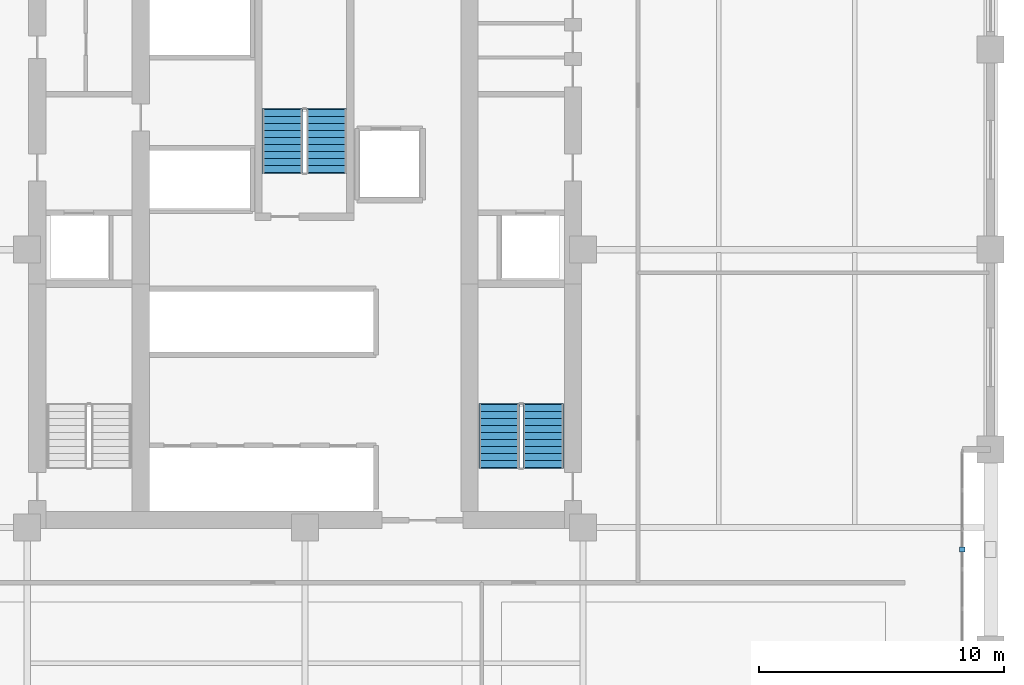
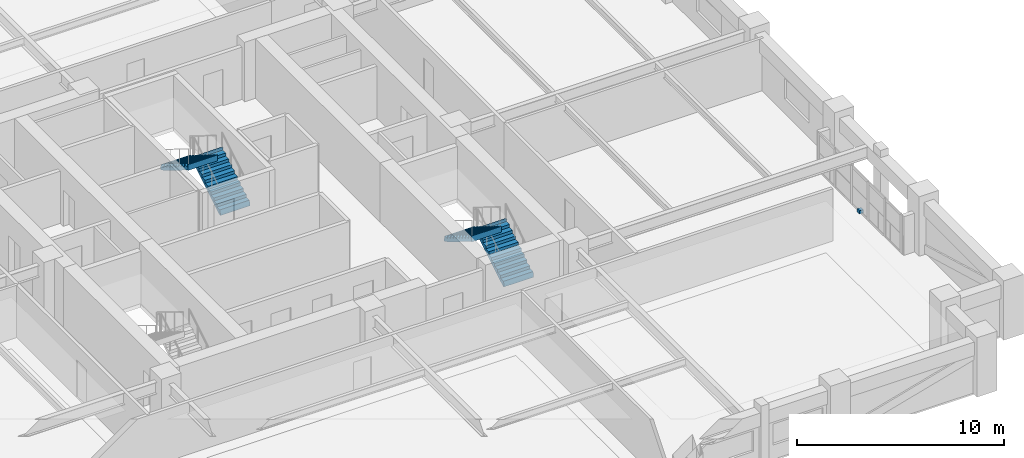
# One storey, part 7 of 12: 4 stair flights, 1 discrete accessory, 2 elements without a shape of their own.
"""IFC4 building model written with IfcOpenShell, lengths in metres."""

from ifc_helpers import new_model, si_unit, direction, frame, origin, origin_2d, place, context, subcontext, project, spatial, polyline, rectangle, outline, extrude, material, type_object, element, aggregate, save


model = new_model("IFC4")

# Units and contexts
model_context = context("Model", 3, precision=1e-05, world=origin(), true_north=direction((0.0, 1.0)))
body_context = subcontext(model_context, "Body", "Model", "MODEL_VIEW")
ifc_project = project(units=[si_unit("LENGTHUNIT", "METRE"), si_unit("AREAUNIT", "SQUARE_METRE"), si_unit("VOLUMEUNIT", "CUBIC_METRE"), si_unit("PLANEANGLEUNIT", "RADIAN"), si_unit("MASSUNIT", "GRAM", prefix="KILO")], contexts=[model_context])

# Site, building, storey
site_placement = place(None, origin())
site = spatial("IfcSite", under=ifc_project, at=site_placement, CompositionType="ELEMENT")
building_placement = place(site_placement, origin())
building = spatial("IfcBuilding", under=site, at=building_placement, Name="Nhamokura Convention Tower", CompositionType="ELEMENT")
storey_placement = place(building_placement, frame((0.0, 0.0, 96.25)))
storey = spatial("IfcBuildingStorey", under=building, at=storey_placement, Name="L23", CompositionType="ELEMENT", Elevation=96.25)

# Stair, stair flights
ifc_material_1 = material(Name="Concrete C40/50", Category="concrete")
stair_type = type_object("IfcStairType", Name="TowerCoreStair_1650", PredefinedType="HALF_TURN_STAIR", material=ifc_material_1)
stair_1_placement = place(storey_placement, origin())
stair_1 = element("IfcStair", 1, at=stair_1_placement, inside=storey, type_object=stair_type, Name="L23 East Core Smokeproof Stair ST-02", PredefinedType="HALF_TURN_STAIR")
ifc_material_2 = material(Name="Concrete C40/50", Category="concrete")
stair_flight_type = type_object("IfcStairFlightType", Name="TowerCoreStair_1650_Flight", PredefinedType="STRAIGHT", material=ifc_material_2)
stair_flight_1_placement = place(storey_placement, frame((41.72509765625, 23.10009765625, 0.0), z_axis=(0.0, 0.0, 1.0), x_axis=(0.0, 1.0, 0.0)))
stair_flight_1 = element("IfcStairFlight", 2, at=stair_flight_1_placement, type_object=stair_flight_type, Name="ST-02 flight 1", NumberOfRisers=10, NumberOfTreads=9, PredefinedType="STRAIGHT", RiserHeight=0.175, TreadLength=0.285, context=body_context, shape_type="SweptSolid", body=[
    extrude(outline(polyline([(-0.0419921875, 0.0), (0.0, 0.175048828125), (0.284912109375, 0.175048828125), (0.284912109375, 0.35009765625), (0.570068359375, 0.35009765625), (0.570068359375, 0.52490234375), (0.85498046875, 0.52490234375), (0.85498046875, 0.699951171875), (1.139892578125, 0.699951171875), (1.139892578125, 0.875), (1.425048828125, 0.875), (1.425048828125, 1.050048828125), (1.7099609375, 1.050048828125), (1.7099609375, 1.22509765625), (1.9951171875, 1.22509765625), (1.9951171875, 1.39990234375), (2.280029296875, 1.39990234375), (2.280029296875, 1.574951171875), (2.56494140625, 1.574951171875), (2.56494140625, 1.75), (2.60693359375, 1.75), (2.60693359375, 1.399169921875), (2.56494140625, 1.399169921875), (0.286376953125, 0.0), (0.02001953125, -0.1298828125), (-0.0419921875, -0.1298828125), (-0.0419921875, 0.0)])), frame((0.0, 0.824951171875, 0.0), z_axis=(0.0, -1.0, 0.0), x_axis=(1.0, 0.0, 0.0)), (0.0, 0.0, 1.0), 1.64990234375),
])
stair_flight_2_placement = place(storey_placement, frame((39.925048828125, 25.6650390625, 1.75), z_axis=(0.0, 0.0, 1.0), x_axis=(0.0, -1.0, 0.0)))
stair_flight_2 = element("IfcStairFlight", 3, at=stair_flight_2_placement, type_object=stair_flight_type, Name="ST-02 flight 2", NumberOfRisers=10, NumberOfTreads=9, PredefinedType="STRAIGHT", RiserHeight=0.175, TreadLength=0.285, context=body_context, shape_type="SweptSolid", body=[
    extrude(outline(polyline([(-0.0419921875, 0.0), (0.0, 0.175048828125), (0.284912109375, 0.175048828125), (0.284912109375, 0.35009765625), (0.570068359375, 0.35009765625), (0.570068359375, 0.52490234375), (0.85498046875, 0.52490234375), (0.85498046875, 0.699951171875), (1.139892578125, 0.699951171875), (1.139892578125, 0.875), (1.425048828125, 0.875), (1.425048828125, 1.050048828125), (1.7099609375, 1.050048828125), (1.7099609375, 1.22509765625), (1.9951171875, 1.22509765625), (1.9951171875, 1.39990234375), (2.280029296875, 1.39990234375), (2.280029296875, 1.574951171875), (2.56494140625, 1.574951171875), (2.56494140625, 1.75), (2.60693359375, 1.75), (2.60693359375, 1.399169921875), (2.56494140625, 1.399169921875), (0.286376953125, 0.0), (0.02001953125, -0.1298828125), (-0.0419921875, -0.1298828125), (-0.0419921875, 0.0)])), frame((0.0, 0.824951171875, 0.0), z_axis=(0.0, -1.0, 0.0), x_axis=(1.0, 0.0, 0.0)), (0.0, 0.0, 1.0), 1.64990234375),
])
aggregate(stair_1, [stair_flight_1, stair_flight_2])

stair_2_placement = place(storey_placement, origin())
stair_2 = element("IfcStair", 4, at=stair_2_placement, inside=storey, type_object=stair_type, Name="L23 North Core Smokeproof Stair ST-03", PredefinedType="HALF_TURN_STAIR")
stair_flight_3_placement = place(storey_placement, frame((32.875, 35.14990234375, 0.0), z_axis=(0.0, 0.0, 1.0), x_axis=(0.0, 1.0, 0.0)))
stair_flight_3 = element("IfcStairFlight", 5, at=stair_flight_3_placement, type_object=stair_flight_type, Name="ST-03 flight 1", NumberOfRisers=10, NumberOfTreads=9, PredefinedType="STRAIGHT", RiserHeight=0.175, TreadLength=0.285, context=body_context, shape_type="SweptSolid", body=[
    extrude(outline(polyline([(-0.0419921875, 0.0), (0.0, 0.175048828125), (0.284912109375, 0.175048828125), (0.284912109375, 0.35009765625), (0.570068359375, 0.35009765625), (0.570068359375, 0.52490234375), (0.85498046875, 0.52490234375), (0.85498046875, 0.699951171875), (1.139892578125, 0.699951171875), (1.139892578125, 0.875), (1.425048828125, 0.875), (1.425048828125, 1.050048828125), (1.7099609375, 1.050048828125), (1.7099609375, 1.22509765625), (1.9951171875, 1.22509765625), (1.9951171875, 1.39990234375), (2.280029296875, 1.39990234375), (2.280029296875, 1.574951171875), (2.56494140625, 1.574951171875), (2.56494140625, 1.75), (2.60693359375, 1.75), (2.60693359375, 1.399169921875), (2.56494140625, 1.399169921875), (0.286376953125, 0.0), (0.02001953125, -0.1298828125), (-0.0419921875, -0.1298828125), (-0.0419921875, 0.0)])), frame((0.0, 0.824951171875, 0.0), z_axis=(0.0, -1.0, 0.0), x_axis=(1.0, 0.0, 0.0)), (0.0, 0.0, 1.0), 1.64990234375),
])
stair_flight_4_placement = place(storey_placement, frame((31.074951171875, 37.715087890625, 1.75), z_axis=(0.0, 0.0, 1.0), x_axis=(0.0, -1.0, 0.0)))
stair_flight_4 = element("IfcStairFlight", 6, at=stair_flight_4_placement, type_object=stair_flight_type, Name="ST-03 flight 2", NumberOfRisers=10, NumberOfTreads=9, PredefinedType="STRAIGHT", RiserHeight=0.175, TreadLength=0.285, context=body_context, shape_type="SweptSolid", body=[
    extrude(outline(polyline([(-0.0419921875, 0.0), (0.0, 0.175048828125), (0.284912109375, 0.175048828125), (0.284912109375, 0.35009765625), (0.570068359375, 0.35009765625), (0.570068359375, 0.52490234375), (0.85498046875, 0.52490234375), (0.85498046875, 0.699951171875), (1.139892578125, 0.699951171875), (1.139892578125, 0.875), (1.425048828125, 0.875), (1.425048828125, 1.050048828125), (1.7099609375, 1.050048828125), (1.7099609375, 1.22509765625), (1.9951171875, 1.22509765625), (1.9951171875, 1.39990234375), (2.280029296875, 1.39990234375), (2.280029296875, 1.574951171875), (2.56494140625, 1.574951171875), (2.56494140625, 1.75), (2.60693359375, 1.75), (2.60693359375, 1.399169921875), (2.56494140625, 1.399169921875), (0.286376953125, 0.0), (0.02001953125, -0.1298828125), (-0.0419921875, -0.1298828125), (-0.0419921875, 0.0)])), frame((0.0, 0.824951171875, 0.0), z_axis=(0.0, -1.0, 0.0), x_axis=(1.0, 0.0, 0.0)), (0.0, 0.0, 1.0), 1.64990234375),
])
aggregate(stair_2, [stair_flight_3, stair_flight_4])

# Discrete accessory
ifc_material_3 = material(Name="Steel ASTM A572 Gr 50", Category="steel")
discrete_accessory_type = type_object("IfcDiscreteAccessoryType", Name="FacadeOutstandBracket", PredefinedType="BRACKET", material=ifc_material_3)
discrete_accessory_placement = place(storey_placement, frame((58.85009765625, 19.75, -0.02001953125), z_axis=(0.0, 0.0, 1.0), x_axis=(1.0, 0.0, 0.0)))
element("IfcDiscreteAccessory", 7, at=discrete_accessory_placement, inside=storey, type_object=discrete_accessory_type, Name="L23 Scale Slot Base Shoe Bracket EAST 1", PredefinedType="BRACKET", context=body_context, shape_type="SweptSolid", body=[
    extrude(rectangle(XDim=0.219970703125, YDim=0.219970703125, at=origin_2d()), origin(), (0.0, 0.0, 1.0), 0.199951171875),
])

save(model, "model.ifc")
